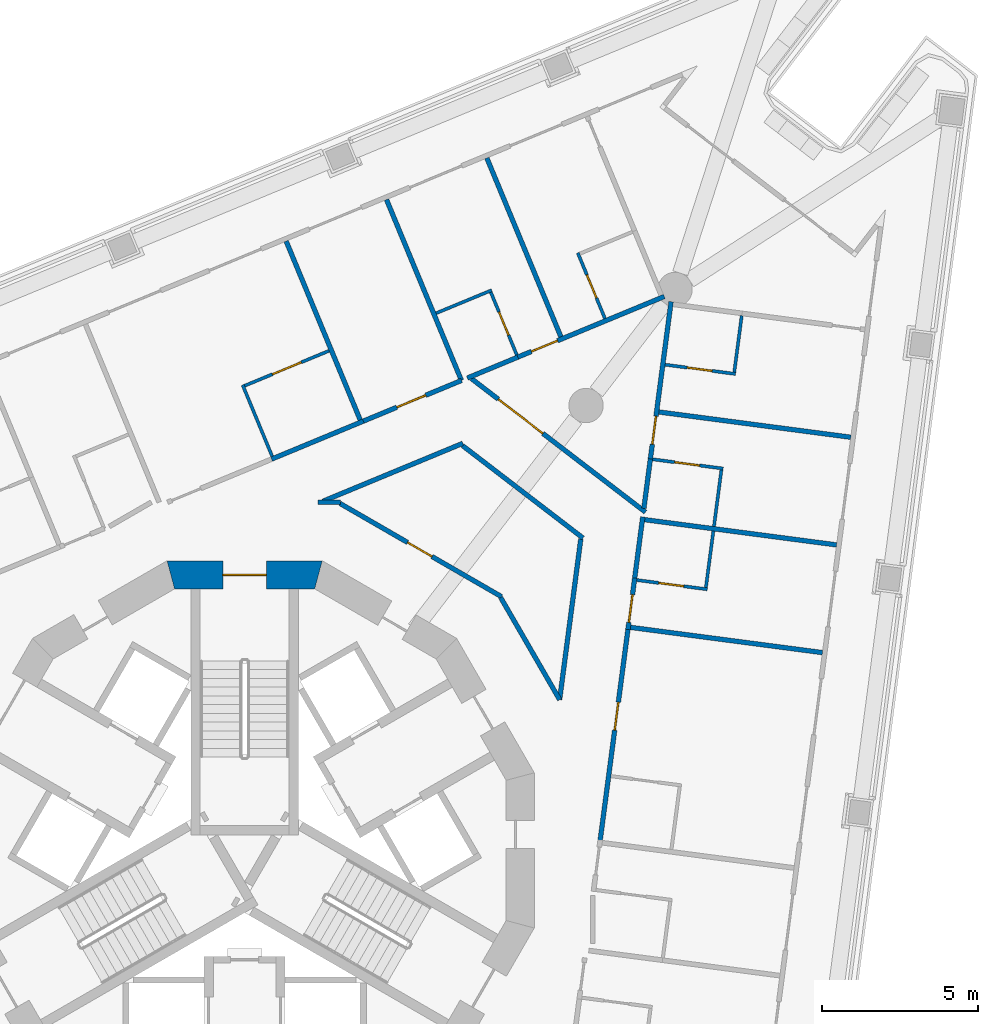
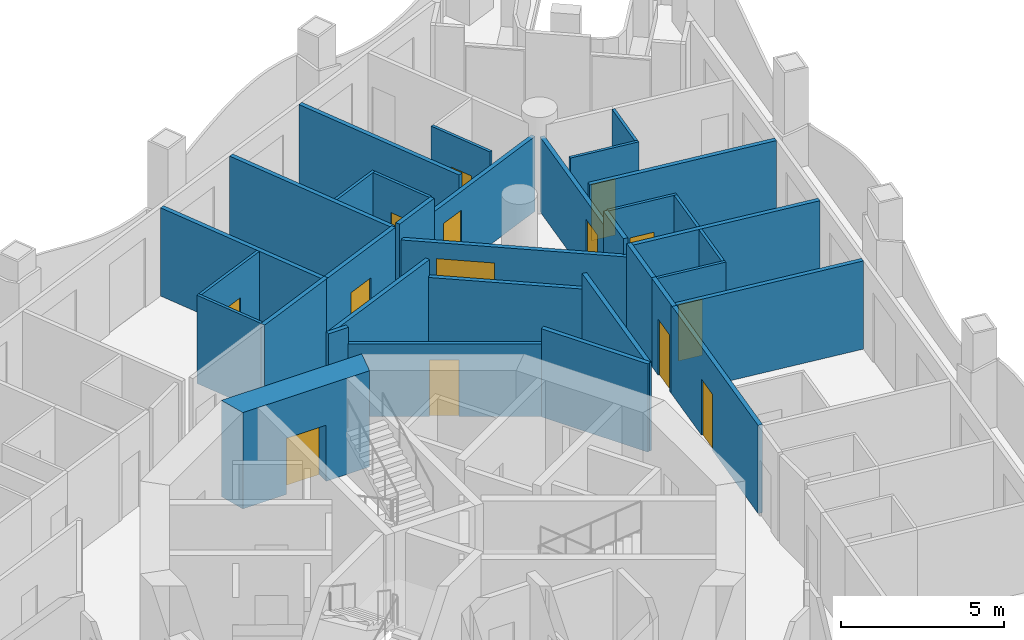
# One storey, part 9 of 17: 34 walls, 14 doors, 14 openings.
"""IFC4 building model written with IfcOpenShell, lengths in metres."""

from ifc_helpers import new_model, si_unit, direction, frame, frame_2d, origin, place, context, subcontext, project, spatial, polyline, rectangle, outline, extrude, material, layer, layer_set, type_object, element, fill, save


model = new_model("IFC4")

# Units and contexts
model_context = context("Model", 3, precision=1e-05, world=origin(), true_north=direction((0.0, 1.0)))
body_context = subcontext(model_context, "Body", "Model", "MODEL_VIEW")
ifc_project = project(units=[si_unit("LENGTHUNIT", "METRE"), si_unit("AREAUNIT", "SQUARE_METRE"), si_unit("VOLUMEUNIT", "CUBIC_METRE"), si_unit("PLANEANGLEUNIT", "RADIAN"), si_unit("MASSUNIT", "GRAM", prefix="KILO")], contexts=[model_context])

# Site, building, storey
site_placement = place(None, origin())
site = spatial("IfcSite", under=ifc_project, at=site_placement, CompositionType="ELEMENT")
building_placement = place(site_placement, origin())
building = spatial("IfcBuilding", under=site, at=building_placement, Name="Trine Commons Tower", CompositionType="ELEMENT")
storey_placement = place(building_placement, frame((0.0, 0.0, 149.39990234375)))
storey = spatial("IfcBuildingStorey", under=building, at=storey_placement, Name="L38", CompositionType="ELEMENT", Elevation=149.39990234375)

# Wall, opening, door
ifc_material_1 = material(Name="Concrete C70/85", Category="concrete")
ifc_layer_1 = layer(ifc_material_1, 0.89990234375)
ifc_layer_set_1 = layer_set([ifc_layer_1], Name="Concrete C70/85")
wall_type_1 = type_object("IfcWallType", Name="RC shear wall 900 mm, C70/85", PredefinedType="SHEAR", material=ifc_layer_set_1)
wall_1_placement = place(storey_placement, frame((82.484619140625, 71.322998046875, 0.0), z_axis=(0.0, 0.0, 1.0), x_axis=(-1.0, 0.0, 0.0)))
wall_1 = element("IfcWall", 1, at=wall_1_placement, inside=storey, type_object=wall_type_1, Name="Core wall CWD-04 L38", PredefinedType="SHEAR", context=body_context, shape_type="SweptSolid", body=[
    extrude(outline(polyline([(0.0, -0.449951171875), (4.969482421875, -0.449951171875), (4.728271484375, 0.449951171875), (0.2412109375, 0.449951171875), (0.0, -0.449951171875)])), origin(), (0.0, 0.0, 1.0), 3.60009765625),
])
opening_1_placement = place(wall_1_placement, frame((1.78466796875, 0.0, 0.0)))
opening_1 = element("IfcOpeningElement", 2, at=opening_1_placement, cuts=wall_1, Name="Opening K09.01", PredefinedType="OPENING", context=body_context, shape_type="SweptSolid", body=[
    extrude(rectangle(XDim=1.39990234375, YDim=2.10009765625, at=frame_2d((0.699951171875, 1.050048828125))), frame((0.0, 0.4599609375, 0.0), z_axis=(0.0, -1.0, 0.0), x_axis=(1.0, 0.0, 0.0)), (0.0, 0.0, 1.0), 0.919921875),
])
ifc_material_2 = material(Name="Steel door leaves, fire-rated", Category="steel")
door_type_1 = type_object("IfcDoorType", Name="Stair door, double leaf 1400 x 2100, FD90", OperationType="DOUBLE_DOOR_SINGLE_SWING", PredefinedType="DOOR", material=ifc_material_2)
door_1_placement = place(opening_1_placement, origin())
door_1 = element("IfcDoor", 3, at=door_1_placement, inside=storey, type_object=door_type_1, Name="Stair door to Exit stair ST1B L38", OperationType="DOUBLE_DOOR_SINGLE_SWING", OverallHeight=2.10009765625, OverallWidth=1.39990234375, PredefinedType="DOOR", context=body_context, shape_type="SweptSolid", body=[
    extrude(rectangle(XDim=1.39990234375, YDim=2.10009765625, at=frame_2d((0.699951171875, 1.050048828125))), frame((0.0, 0.02490234375, 0.0), z_axis=(0.0, -1.0, 0.0), x_axis=(1.0, 0.0, 0.0)), (0.0, 0.0, 1.0), 0.050048828125),
])
fill(opening_1, door_1)

# Walls
ifc_material_3 = material(Name="Gypsum plasterboard on steel stud", Category="steel")
ifc_layer_2 = layer(ifc_material_3, 0.14990234375)
ifc_layer_set_2 = layer_set([ifc_layer_2], Name="Gypsum plasterboard on steel stud")
wall_type_2 = type_object("IfcWallType", Name="Unit and corridor wall 150 mm, EI 60", PredefinedType="PARTITIONING", material=ifc_layer_set_2)
wall_2_placement = place(storey_placement, frame((80.86181640625, 75.02685546875, 0.0), z_axis=(0.0, 0.0, 1.0), x_axis=(0.923792409305, 0.382893698709, 0.0)))
element("IfcWall", 4, at=wall_2_placement, inside=storey, type_object=wall_type_2, Name="Partition 075", PredefinedType="PARTITIONING", context=body_context, shape_type="SweptSolid", body=[
    extrude(rectangle(XDim=3.18310546875, YDim=0.14990234375, at=frame_2d((1.591552734375, 0.0))), origin(), (0.0, 0.0, 1.0), 3.300048828125),
])
wall_3_placement = place(storey_placement, frame((81.329345703125, 82.007080078125, 0.0), z_axis=(0.0, 0.0, 1.0), x_axis=(0.382731197273, -0.923859746192, 0.0)))
element("IfcWall", 5, at=wall_3_placement, inside=storey, type_object=wall_type_2, Name="Partition 076", PredefinedType="PARTITIONING", context=body_context, shape_type="SweptSolid", body=[
    extrude(rectangle(XDim=6.194580078125, YDim=0.14990234375, at=frame_2d((3.09716796875, 0.0))), origin(), (0.0, 0.0, 1.0), 3.300048828125),
])
wall_4_placement = place(storey_placement, frame((82.35205078125, 73.64794921875, 0.0), z_axis=(0.0, 0.0, 1.0), x_axis=(1.0, 0.0, 0.0)))
element("IfcWall", 6, at=wall_4_placement, inside=storey, type_object=wall_type_2, Name="Partition 080", PredefinedType="PARTITIONING", context=body_context, shape_type="SweptSolid", body=[
    extrude(rectangle(XDim=0.7099609375, YDim=0.14990234375, at=frame_2d((0.35498046875, 0.0))), origin(), (0.0, 0.0, 1.0), 3.300048828125),
])
wall_5_placement = place(storey_placement, frame((82.500244140625, 73.6767578125, 0.0), z_axis=(0.0, 0.0, 1.0), x_axis=(0.923900404771, 0.382633038384, 0.0)))
element("IfcWall", 7, at=wall_5_placement, inside=storey, type_object=wall_type_2, Name="Partition 081", PredefinedType="PARTITIONING", context=body_context, shape_type="SweptSolid", body=[
    extrude(rectangle(XDim=4.855712890625, YDim=0.14990234375, at=frame_2d((2.427734375, 0.0))), origin(), (0.0, 0.0, 1.0), 3.300048828125),
])

# Wall, opening, door
wall_6_placement = place(storey_placement, frame((83.052001953125, 73.610595703125, 0.0), z_axis=(0.0, 0.0, 1.0), x_axis=(0.866039280689, -0.499975963725, 0.0)))
wall_6 = element("IfcWall", 8, at=wall_6_placement, inside=storey, type_object=wall_type_2, Name="Partition 084", PredefinedType="PARTITIONING", context=body_context, shape_type="SweptSolid", body=[
    extrude(rectangle(XDim=5.974365234375, YDim=0.14990234375, at=frame_2d((2.9873046875, 0.0))), origin(), (0.0, 0.0, 1.0), 2.7001953125),
])
opening_2_placement = place(wall_6_placement, frame((2.499755859375, 0.0, 0.0)))
opening_2 = element("IfcOpeningElement", 9, at=opening_2_placement, cuts=wall_6, Name="Opening D-4C34", PredefinedType="OPENING", context=body_context, shape_type="SweptSolid", body=[
    extrude(rectangle(XDim=0.89990234375, YDim=2.10009765625, at=frame_2d((0.449951171875, 1.050048828125))), frame((0.0, 0.0849609375, 0.0), z_axis=(0.0, -1.0, 0.0), x_axis=(1.0, 0.0, 0.0)), (0.0, 0.0, 1.0), 0.169921875),
])
ifc_material_4 = material(Name="Timber fire door set", Category="wood")
door_type_2 = type_object("IfcDoorType", Name="Service door 900 x 2100, FD30S", OperationType="NOTDEFINED", PredefinedType="DOOR", material=ifc_material_4)
door_2_placement = place(opening_2_placement, origin())
door_2 = element("IfcDoor", 10, at=door_2_placement, inside=storey, type_object=door_type_2, Name="Door D-4C34", OperationType="SINGLE_SWING_LEFT", OverallHeight=2.10009765625, OverallWidth=0.89990234375, PredefinedType="DOOR", context=body_context, shape_type="SweptSolid", body=[
    extrude(rectangle(XDim=0.89990234375, YDim=2.10009765625, at=frame_2d((0.449951171875, 1.050048828125))), frame((0.0, 0.02490234375, 0.0), z_axis=(0.0, -1.0, 0.0), x_axis=(1.0, 0.0, 0.0)), (0.0, 0.0, 1.0), 0.050048828125),
])
fill(opening_2, door_2)

wall_7_placement = place(storey_placement, frame((83.72509765625, 76.212890625, 0.0), z_axis=(0.0, 0.0, 1.0), x_axis=(0.923773530594, 0.382939243449, 0.0)))
wall_7 = element("IfcWall", 11, at=wall_7_placement, inside=storey, type_object=wall_type_2, Name="Partition 087", PredefinedType="PARTITIONING", context=body_context, shape_type="SweptSolid", body=[
    extrude(rectangle(XDim=3.48681640625, YDim=0.14990234375, at=frame_2d((1.743408203125, 0.0))), origin(), (0.0, 0.0, 1.0), 3.300048828125),
])
opening_3_placement = place(wall_7_placement, frame((1.243408203125, 0.0, 0.0)))
opening_3 = element("IfcOpeningElement", 12, at=opening_3_placement, cuts=wall_7, Name="Opening D-4C11", PredefinedType="OPENING", context=body_context, shape_type="SweptSolid", body=[
    extrude(rectangle(XDim=1.0, YDim=2.10009765625, at=frame_2d((0.5, 1.050048828125))), frame((0.0, 0.0849609375, 0.0), z_axis=(0.0, -1.0, 0.0), x_axis=(1.0, 0.0, 0.0)), (0.0, 0.0, 1.0), 0.169921875),
])
ifc_material_5 = material(Name="Painted timber", Category="wood")
door_type_3 = type_object("IfcDoorType", Name="Amenity room door 1000 x 2100, NOT RATED", OperationType="NOTDEFINED", PredefinedType="DOOR", material=ifc_material_5)
door_3_placement = place(opening_3_placement, origin())
door_3 = element("IfcDoor", 13, at=door_3_placement, inside=storey, type_object=door_type_3, Name="Door D-4C11", OperationType="SINGLE_SWING_LEFT", OverallHeight=2.10009765625, OverallWidth=1.0, PredefinedType="DOOR", context=body_context, shape_type="SweptSolid", body=[
    extrude(rectangle(XDim=1.0, YDim=2.10009765625, at=frame_2d((0.5, 1.050048828125))), frame((0.0, 0.02490234375, 0.0), z_axis=(0.0, -1.0, 0.0), x_axis=(1.0, 0.0, 0.0)), (0.0, 0.0, 1.0), 0.050048828125),
])
fill(opening_3, door_3)

# Walls
wall_8_placement = place(storey_placement, frame((84.542236328125, 83.337890625, 0.0), z_axis=(0.0, 0.0, 1.0), x_axis=(0.382756471404, -0.923849275368, 0.0)))
element("IfcWall", 14, at=wall_8_placement, inside=storey, type_object=wall_type_2, Name="Partition 091", PredefinedType="PARTITIONING", context=body_context, shape_type="SweptSolid", body=[
    extrude(rectangle(XDim=6.26953125, YDim=0.14990234375, at=frame_2d((3.134765625, 0.0))), origin(), (0.0, 0.0, 1.0), 3.300048828125),
])
wall_9_placement = place(storey_placement, frame((86.9765625, 75.46044921875, 0.0), z_axis=(0.0, 0.0, 1.0), x_axis=(0.79343006196, -0.608661430335, 0.0)))
element("IfcWall", 15, at=wall_9_placement, inside=storey, type_object=wall_type_2, Name="Partition 095", PredefinedType="PARTITIONING", context=body_context, shape_type="SweptSolid", body=[
    extrude(rectangle(XDim=4.85986328125, YDim=0.14990234375, at=frame_2d((2.429931640625, 0.0))), origin(), (0.0, 0.0, 1.0), 2.7001953125),
])
wall_10_placement = place(storey_placement, frame((87.130615234375, 77.624267578125, 0.0), z_axis=(0.0, 0.0, 1.0), x_axis=(0.923855258764, 0.382742029118, 0.0)))
element("IfcWall", 16, at=wall_10_placement, inside=storey, type_object=wall_type_2, Name="Partition 096", PredefinedType="PARTITIONING", context=body_context, shape_type="SweptSolid", body=[
    extrude(rectangle(XDim=1.749755859375, YDim=0.14990234375, at=frame_2d((0.875, 0.0))), origin(), (0.0, 0.0, 1.0), 3.300048828125),
])

# Wall, opening, door
wall_11_placement = place(storey_placement, frame((87.259521484375, 77.607421875, 0.0), z_axis=(0.0, 0.0, 1.0), x_axis=(0.79336631803, -0.608744515718, 0.0)))
wall_11 = element("IfcWall", 17, at=wall_11_placement, inside=storey, type_object=wall_type_2, Name="Partition 097", PredefinedType="PARTITIONING", context=body_context, shape_type="SweptSolid", body=[
    extrude(rectangle(XDim=7.0244140625, YDim=0.14990234375, at=frame_2d((3.51220703125, 0.0))), origin(), (0.0, 0.0, 1.0), 2.7001953125),
])
opening_4_placement = place(wall_11_placement, frame((1.086181640625, 0.0, 0.0)))
opening_4 = element("IfcOpeningElement", 18, at=opening_4_placement, cuts=wall_11, Name="Opening D-4C01", PredefinedType="OPENING", context=body_context, shape_type="SweptSolid", body=[
    extrude(rectangle(XDim=1.800048828125, YDim=2.10009765625, at=frame_2d((0.89990234375, 1.050048828125))), frame((0.0, 0.0849609375, 0.0), z_axis=(0.0, -1.0, 0.0), x_axis=(1.0, 0.0, 0.0)), (0.0, 0.0, 1.0), 0.169921875),
])
door_type_4 = type_object("IfcDoorType", Name="Cluster entrance door 1800 x 2100, double leaf, FD30S", OperationType="DOUBLE_DOOR_DOUBLE_SWING", PredefinedType="DOOR", material=ifc_material_4)
door_4_placement = place(opening_4_placement, origin())
door_4 = element("IfcDoor", 19, at=door_4_placement, inside=storey, type_object=door_type_4, Name="Door D-4C01", OperationType="DOUBLE_DOOR_DOUBLE_SWING", OverallHeight=2.10009765625, OverallWidth=1.800048828125, PredefinedType="DOOR", context=body_context, shape_type="SweptSolid", body=[
    extrude(rectangle(XDim=1.800048828125, YDim=2.10009765625, at=frame_2d((0.89990234375, 1.050048828125))), frame((0.0, 0.02490234375, 0.0), z_axis=(0.0, -1.0, 0.0), x_axis=(1.0, 0.0, 0.0)), (0.0, 0.0, 1.0), 0.050048828125),
])
fill(opening_4, door_4)

# Walls
wall_12_placement = place(storey_placement, frame((87.75537109375, 84.66796875, 0.0), z_axis=(0.0, 0.0, 1.0), x_axis=(0.382666303598, -0.923886627293, 0.0)))
element("IfcWall", 20, at=wall_12_placement, inside=storey, type_object=wall_type_2, Name="Partition 100", PredefinedType="PARTITIONING", context=body_context, shape_type="SweptSolid", body=[
    extrude(rectangle(XDim=6.193115234375, YDim=0.14990234375, at=frame_2d((3.0966796875, 0.0))), origin(), (0.0, 0.0, 1.0), 3.300048828125),
])
wall_13_placement = place(storey_placement, frame((88.198486328125, 70.595947265625, 0.0), z_axis=(0.0, 0.0, 1.0), x_axis=(0.499871635049, -0.86609950264, 0.0)))
element("IfcWall", 21, at=wall_13_placement, inside=storey, type_object=wall_type_2, Name="Partition 104", PredefinedType="PARTITIONING", context=body_context, shape_type="SweptSolid", body=[
    extrude(rectangle(XDim=3.77783203125, YDim=0.14990234375, at=frame_2d((1.888916015625, 0.0))), origin(), (0.0, 0.0, 1.0), 3.300048828125),
])

# Wall, opening, door
wall_14_placement = place(storey_placement, frame((88.69287109375, 78.27197265625, 0.0), z_axis=(0.0, 0.0, 1.0), x_axis=(0.92395946552, 0.382490399978, 0.0)))
wall_14 = element("IfcWall", 22, at=wall_14_placement, inside=storey, type_object=wall_type_2, Name="Partition 108", PredefinedType="PARTITIONING", context=body_context, shape_type="SweptSolid", body=[
    extrude(rectangle(XDim=5.1337890625, YDim=0.14990234375, at=frame_2d((2.56689453125, 0.0))), origin(), (0.0, 0.0, 1.0), 2.800048828125),
])
opening_5_placement = place(wall_14_placement, frame((0.531494140625, 0.0, 0.0)))
opening_5 = element("IfcOpeningElement", 23, at=opening_5_placement, cuts=wall_14, Name="Opening D-4C12", PredefinedType="OPENING", context=body_context, shape_type="SweptSolid", body=[
    extrude(rectangle(XDim=0.89990234375, YDim=2.10009765625, at=frame_2d((0.449951171875, 1.050048828125))), frame((0.0, 0.0849609375, 0.0), z_axis=(0.0, -1.0, 0.0), x_axis=(1.0, 0.0, 0.0)), (0.0, 0.0, 1.0), 0.169921875),
])
door_type_5 = type_object("IfcDoorType", Name="Bedroom door 900 x 2100, FD30S", OperationType="NOTDEFINED", PredefinedType="DOOR", material=ifc_material_4)
door_5_placement = place(opening_5_placement, origin())
door_5 = element("IfcDoor", 24, at=door_5_placement, inside=storey, type_object=door_type_5, Name="Door D-4C12", OperationType="SINGLE_SWING_LEFT", OverallHeight=2.10009765625, OverallWidth=0.89990234375, PredefinedType="DOOR", context=body_context, shape_type="SweptSolid", body=[
    extrude(rectangle(XDim=0.89990234375, YDim=2.10009765625, at=frame_2d((0.449951171875, 1.050048828125))), frame((0.0, 0.02490234375, 0.0), z_axis=(0.0, -1.0, 0.0), x_axis=(1.0, 0.0, 0.0)), (0.0, 0.0, 1.0), 0.050048828125),
])
fill(opening_5, door_5)

# Wall
wall_15_placement = place(storey_placement, frame((90.0849609375, 67.326904296875, 0.0), z_axis=(0.0, 0.0, 1.0), x_axis=(0.130647942506, 0.991428825039, 0.0)))
element("IfcWall", 25, at=wall_15_placement, inside=storey, type_object=wall_type_2, Name="Partition 115", PredefinedType="PARTITIONING", context=body_context, shape_type="SweptSolid", body=[
    extrude(rectangle(XDim=5.191162109375, YDim=0.14990234375, at=frame_2d((2.595703125, 0.0))), origin(), (0.0, 0.0, 1.0), 3.300048828125),
])

# Wall, opening, door
wall_16_placement = place(storey_placement, frame((91.3740234375, 62.751953125, 0.0), z_axis=(0.0, 0.0, 1.0), x_axis=(0.130544309052, 0.991442476079, 0.0)))
wall_16 = element("IfcWall", 26, at=wall_16_placement, inside=storey, type_object=wall_type_2, Name="Partition 127", PredefinedType="PARTITIONING", context=body_context, shape_type="SweptSolid", body=[
    extrude(rectangle(XDim=6.962646484375, YDim=0.14990234375, at=frame_2d((3.4814453125, 0.0))), origin(), (0.0, 0.0, 1.0), 3.300048828125),
])
opening_6_placement = place(wall_16_placement, frame((3.6318359375, 0.0, 0.0)))
opening_6 = element("IfcOpeningElement", 27, at=opening_6_placement, cuts=wall_16, Name="Opening D-4C17", PredefinedType="OPENING", context=body_context, shape_type="SweptSolid", body=[
    extrude(rectangle(XDim=0.89990234375, YDim=2.10009765625, at=frame_2d((0.449951171875, 1.050048828125))), frame((0.0, 0.0849609375, 0.0), z_axis=(0.0, -1.0, 0.0), x_axis=(1.0, 0.0, 0.0)), (0.0, 0.0, 1.0), 0.169921875),
])
door_6_placement = place(opening_6_placement, frame((0.89990234375, 0.0, 0.0), z_axis=(0.0, 0.0, 1.0), x_axis=(-1.0, 0.0, 0.0)))
door_6 = element("IfcDoor", 28, at=door_6_placement, inside=storey, type_object=door_type_5, Name="Door D-4C17", OperationType="SINGLE_SWING_LEFT", OverallHeight=2.10009765625, OverallWidth=0.89990234375, PredefinedType="DOOR", context=body_context, shape_type="SweptSolid", body=[
    extrude(rectangle(XDim=0.89990234375, YDim=2.10009765625, at=frame_2d((0.449951171875, 1.050048828125))), frame((0.0, 0.02490234375, 0.0), z_axis=(0.0, -1.0, 0.0), x_axis=(1.0, 0.0, 0.0)), (0.0, 0.0, 1.0), 0.050048828125),
])
fill(opening_6, door_6)

wall_17_placement = place(storey_placement, frame((92.272216796875, 69.572509765625, 0.0), z_axis=(0.0, 0.0, 1.0), x_axis=(0.130218790516, 0.991485283096, 0.0)))
wall_17 = element("IfcWall", 29, at=wall_17_placement, inside=storey, type_object=wall_type_2, Name="Partition 131", PredefinedType="PARTITIONING", context=body_context, shape_type="SweptSolid", body=[
    extrude(rectangle(XDim=1.6611328125, YDim=0.14990234375, at=frame_2d((0.83056640625, 0.0))), origin(), (0.0, 0.0, 1.0), 3.300048828125),
])
opening_7_placement = place(wall_17_placement, frame((0.22900390625, 0.0, 0.0)))
opening_7 = element("IfcOpeningElement", 30, at=opening_7_placement, cuts=wall_17, Name="Opening D-4C16", PredefinedType="OPENING", context=body_context, shape_type="SweptSolid", body=[
    extrude(rectangle(XDim=0.89990234375, YDim=2.10009765625, at=frame_2d((0.449951171875, 1.050048828125))), frame((0.0, 0.0849609375, 0.0), z_axis=(0.0, -1.0, 0.0), x_axis=(1.0, 0.0, 0.0)), (0.0, 0.0, 1.0), 0.169921875),
])
door_7_placement = place(opening_7_placement, frame((0.89990234375, 0.0, 0.0), z_axis=(0.0, 0.0, 1.0), x_axis=(-1.0, 0.0, 0.0)))
door_7 = element("IfcDoor", 31, at=door_7_placement, inside=storey, type_object=door_type_5, Name="Door D-4C16", OperationType="SINGLE_SWING_RIGHT", OverallHeight=2.10009765625, OverallWidth=0.89990234375, PredefinedType="DOOR", context=body_context, shape_type="SweptSolid", body=[
    extrude(rectangle(XDim=0.89990234375, YDim=2.10009765625, at=frame_2d((0.449951171875, 1.050048828125))), frame((0.0, 0.02490234375, 0.0), z_axis=(0.0, -1.0, 0.0), x_axis=(1.0, 0.0, 0.0)), (0.0, 0.0, 1.0), 0.050048828125),
])
fill(opening_7, door_7)

# Walls
wall_18_placement = place(storey_placement, frame((92.357421875, 69.64111328125, 0.0), z_axis=(0.0, 0.0, 1.0), x_axis=(0.991457381012, -0.130431060858, 0.0)))
element("IfcWall", 32, at=wall_18_placement, inside=storey, type_object=wall_type_2, Name="Partition 132", PredefinedType="PARTITIONING", context=body_context, shape_type="SweptSolid", body=[
    extrude(rectangle(XDim=6.19384765625, YDim=0.14990234375, at=frame_2d((3.096923828125, 0.0))), origin(), (0.0, 0.0, 1.0), 3.300048828125),
])
wall_19_placement = place(storey_placement, frame((92.48095703125, 71.162109375, 0.0), z_axis=(0.0, 0.0, 1.0), x_axis=(0.130786921313, 0.991410500859, 0.0)))
element("IfcWall", 33, at=wall_19_placement, inside=storey, type_object=wall_type_2, Name="Partition 133", PredefinedType="PARTITIONING", context=body_context, shape_type="SweptSolid", body=[
    extrude(rectangle(XDim=2.032958984375, YDim=0.14990234375, at=frame_2d((1.0166015625, 0.0))), origin(), (0.0, 0.0, 1.0), 3.300048828125),
])
wall_20_placement = place(storey_placement, frame((92.811279296875, 73.089111328125, 0.0), z_axis=(0.0, 0.0, 1.0), x_axis=(0.991458051546, -0.130425963766, 0.0)))
element("IfcWall", 34, at=wall_20_placement, inside=storey, type_object=wall_type_2, Name="Partition 136", PredefinedType="PARTITIONING", context=body_context, shape_type="SweptSolid", body=[
    extrude(rectangle(XDim=6.194091796875, YDim=0.14990234375, at=frame_2d((3.09716796875, 0.0))), origin(), (0.0, 0.0, 1.0), 3.300048828125),
])
wall_21_placement = place(storey_placement, frame((92.78271484375, 73.451416015625, 0.0), z_axis=(0.0, 0.0, 1.0), x_axis=(0.130312245432, 0.991473004519, 0.0)))
element("IfcWall", 35, at=wall_21_placement, inside=storey, type_object=wall_type_2, Name="Partition 139", PredefinedType="PARTITIONING", context=body_context, shape_type="SweptSolid", body=[
    extrude(rectangle(XDim=1.59814453125, YDim=0.14990234375, at=frame_2d((0.799072265625, 0.0))), origin(), (0.0, 0.0, 1.0), 3.300048828125),
])

# Wall, opening, door
wall_22_placement = place(storey_placement, frame((92.9833984375, 74.978515625, 0.0), z_axis=(0.0, 0.0, 1.0), x_axis=(0.130587368937, 0.991436805386, 0.0)))
wall_22 = element("IfcWall", 36, at=wall_22_placement, inside=storey, type_object=wall_type_2, Name="Partition 140", PredefinedType="PARTITIONING", context=body_context, shape_type="SweptSolid", body=[
    extrude(rectangle(XDim=5.1337890625, YDim=0.14990234375, at=frame_2d((2.56689453125, 0.0))), origin(), (0.0, 0.0, 1.0), 2.800048828125),
])
opening_8_placement = place(wall_22_placement, frame((0.531982421875, 0.0, 0.0)))
opening_8 = element("IfcOpeningElement", 37, at=opening_8_placement, cuts=wall_22, Name="Opening D-4C15", PredefinedType="OPENING", context=body_context, shape_type="SweptSolid", body=[
    extrude(rectangle(XDim=0.89990234375, YDim=2.10009765625, at=frame_2d((0.449951171875, 1.050048828125))), frame((0.0, 0.0849609375, 0.0), z_axis=(0.0, -1.0, 0.0), x_axis=(1.0, 0.0, 0.0)), (0.0, 0.0, 1.0), 0.169921875),
])
door_8_placement = place(opening_8_placement, frame((0.89990234375, 0.0, 0.0), z_axis=(0.0, 0.0, 1.0), x_axis=(-1.0, 0.0, 0.0)))
door_8 = element("IfcDoor", 38, at=door_8_placement, inside=storey, type_object=door_type_5, Name="Door D-4C15", OperationType="SINGLE_SWING_RIGHT", OverallHeight=2.10009765625, OverallWidth=0.89990234375, PredefinedType="DOOR", context=body_context, shape_type="SweptSolid", body=[
    extrude(rectangle(XDim=0.89990234375, YDim=2.10009765625, at=frame_2d((0.449951171875, 1.050048828125))), frame((0.0, 0.02490234375, 0.0), z_axis=(0.0, -1.0, 0.0), x_axis=(1.0, 0.0, 0.0)), (0.0, 0.0, 1.0), 0.050048828125),
])
fill(opening_8, door_8)

# Walls
wall_23_placement = place(storey_placement, frame((93.264404296875, 76.537109375, 0.0), z_axis=(0.0, 0.0, 1.0), x_axis=(0.991439668145, -0.130565632649, 0.0)))
element("IfcWall", 39, at=wall_23_placement, inside=storey, type_object=wall_type_2, Name="Partition 142", PredefinedType="PARTITIONING", context=body_context, shape_type="SweptSolid", body=[
    extrude(rectangle(XDim=6.19482421875, YDim=0.14990234375, at=frame_2d((3.097412109375, 0.0))), origin(), (0.0, 0.0, 1.0), 3.300048828125),
])
ifc_layer_3 = layer(ifc_material_3, 0.10009765625)
ifc_layer_set_3 = layer_set([ifc_layer_3], Name="Gypsum plasterboard on steel stud")
wall_type_3 = type_object("IfcWallType", Name="Unit partition 100 mm, no rating", PredefinedType="PARTITIONING", material=ifc_layer_set_3)
wall_24_placement = place(storey_placement, frame((79.934814453125, 77.404296875, 0.0), z_axis=(0.0, 0.0, 1.0), x_axis=(0.382737922871, -0.923856959922, 0.0)))
element("IfcWall", 40, at=wall_24_placement, inside=storey, type_object=wall_type_3, Name="Partition 072", PredefinedType="PARTITIONING", context=body_context, shape_type="SweptSolid", body=[
    extrude(rectangle(XDim=2.4755859375, YDim=0.10009765625, at=frame_2d((1.23779296875, 0.0))), origin(), (0.0, 0.0, 1.0), 3.300048828125),
])

# Wall, opening, door
wall_25_placement = place(storey_placement, frame((80.000244140625, 77.377197265625, 0.0), z_axis=(0.0, 0.0, 1.0), x_axis=(0.923906972489, 0.382617179681, 0.0)))
wall_25 = element("IfcWall", 41, at=wall_25_placement, inside=storey, type_object=wall_type_3, Name="Partition 073", PredefinedType="PARTITIONING", context=body_context, shape_type="SweptSolid", body=[
    extrude(rectangle(XDim=2.925048828125, YDim=0.10009765625, at=frame_2d((1.46240234375, 0.0))), origin(), (0.0, 0.0, 1.0), 3.300048828125),
])
opening_9_placement = place(wall_25_placement, frame((0.962646484375, 0.0, 0.0)))
opening_9 = element("IfcOpeningElement", 42, at=opening_9_placement, cuts=wall_25, Name="Opening D-4C43", PredefinedType="OPENING", context=body_context, shape_type="SweptSolid", body=[
    extrude(rectangle(XDim=1.0, YDim=2.10009765625, at=frame_2d((0.5, 1.050048828125))), frame((0.0, 0.06005859375, 0.0), z_axis=(0.0, -1.0, 0.0), x_axis=(1.0, 0.0, 0.0)), (0.0, 0.0, 1.0), 0.1201171875),
])
door_type_6 = type_object("IfcDoorType", Name="Internal door 1000 x 2100, NOT RATED", OperationType="NOTDEFINED", PredefinedType="DOOR", material=ifc_material_5)
door_9_placement = place(opening_9_placement, origin())
door_9 = element("IfcDoor", 43, at=door_9_placement, inside=storey, type_object=door_type_6, Name="Door D-4C43", OperationType="SINGLE_SWING_RIGHT", OverallHeight=2.10009765625, OverallWidth=1.0, PredefinedType="DOOR", context=body_context, shape_type="SweptSolid", body=[
    extrude(rectangle(XDim=1.0, YDim=2.10009765625, at=frame_2d((0.5, 1.050048828125))), frame((0.0, 0.02490234375, 0.0), z_axis=(0.0, -1.0, 0.0), x_axis=(1.0, 0.0, 0.0)), (0.0, 0.0, 1.0), 0.050048828125),
])
fill(opening_9, door_9)

# Wall
wall_26_placement = place(storey_placement, frame((86.13037109375, 79.69970703125, 0.0), z_axis=(0.0, 0.0, 1.0), x_axis=(0.923967386518, 0.38247126513, 0.0)))
element("IfcWall", 44, at=wall_26_placement, inside=storey, type_object=wall_type_3, Name="Partition 094", PredefinedType="PARTITIONING", context=body_context, shape_type="SweptSolid", body=[
    extrude(rectangle(XDim=1.92529296875, YDim=0.10009765625, at=frame_2d((0.962646484375, 0.0))), origin(), (0.0, 0.0, 1.0), 3.300048828125),
])

# Wall, opening, door
wall_27_placement = place(storey_placement, frame((87.882080078125, 80.370849609375, 0.0), z_axis=(0.0, 0.0, 1.0), x_axis=(0.382645891508, -0.92389508155, 0.0)))
wall_27 = element("IfcWall", 45, at=wall_27_placement, inside=storey, type_object=wall_type_3, Name="Partition 102", PredefinedType="PARTITIONING", context=body_context, shape_type="SweptSolid", body=[
    extrude(rectangle(XDim=2.175048828125, YDim=0.10009765625, at=frame_2d((1.08740234375, 0.0))), origin(), (0.0, 0.0, 1.0), 3.300048828125),
])
opening_10_placement = place(wall_27_placement, frame((0.6875, 0.0, 0.0)))
opening_10 = element("IfcOpeningElement", 46, at=opening_10_placement, cuts=wall_27, Name="Opening D-4C44", PredefinedType="OPENING", context=body_context, shape_type="SweptSolid", body=[
    extrude(rectangle(XDim=0.800048828125, YDim=2.10009765625, at=frame_2d((0.39990234375, 1.050048828125))), frame((0.0, 0.06005859375, 0.0), z_axis=(0.0, -1.0, 0.0), x_axis=(1.0, 0.0, 0.0)), (0.0, 0.0, 1.0), 0.1201171875),
])
door_type_7 = type_object("IfcDoorType", Name="Internal door 800 x 2100, NOT RATED", OperationType="NOTDEFINED", PredefinedType="DOOR", material=ifc_material_5)
door_10_placement = place(opening_10_placement, origin())
door_10 = element("IfcDoor", 47, at=door_10_placement, inside=storey, type_object=door_type_7, Name="Door D-4C44", OperationType="SINGLE_SWING_RIGHT", OverallHeight=2.10009765625, OverallWidth=0.800048828125, PredefinedType="DOOR", context=body_context, shape_type="SweptSolid", body=[
    extrude(rectangle(XDim=0.800048828125, YDim=2.10009765625, at=frame_2d((0.39990234375, 1.050048828125))), frame((0.0, 0.02490234375, 0.0), z_axis=(0.0, -1.0, 0.0), x_axis=(1.0, 0.0, 0.0)), (0.0, 0.0, 1.0), 0.050048828125),
])
fill(opening_10, door_10)

wall_28_placement = place(storey_placement, frame((90.666015625, 81.632080078125, 0.0), z_axis=(0.0, 0.0, 1.0), x_axis=(0.382595073996, -0.923916126796, 0.0)))
wall_28 = element("IfcWall", 48, at=wall_28_placement, inside=storey, type_object=wall_type_3, Name="Partition 118", PredefinedType="PARTITIONING", context=body_context, shape_type="SweptSolid", body=[
    extrude(rectangle(XDim=2.27490234375, YDim=0.10009765625, at=frame_2d((1.137451171875, 0.0))), origin(), (0.0, 0.0, 1.0), 3.300048828125),
])
opening_11_placement = place(wall_28_placement, frame((0.7626953125, 0.0, 0.0)))
opening_11 = element("IfcOpeningElement", 49, at=opening_11_placement, cuts=wall_28, Name="Opening D-4C45", PredefinedType="OPENING", context=body_context, shape_type="SweptSolid", body=[
    extrude(rectangle(XDim=0.800048828125, YDim=2.10009765625, at=frame_2d((0.39990234375, 1.050048828125))), frame((0.0, 0.06005859375, 0.0), z_axis=(0.0, -1.0, 0.0), x_axis=(1.0, 0.0, 0.0)), (0.0, 0.0, 1.0), 0.1201171875),
])
door_11_placement = place(opening_11_placement, frame((0.800048828125, 0.0, 0.0), z_axis=(0.0, 0.0, 1.0), x_axis=(-1.0, 0.0, 0.0)))
door_11 = element("IfcDoor", 50, at=door_11_placement, inside=storey, type_object=door_type_7, Name="Door D-4C45", OperationType="SINGLE_SWING_LEFT", OverallHeight=2.10009765625, OverallWidth=0.800048828125, PredefinedType="DOOR", context=body_context, shape_type="SweptSolid", body=[
    extrude(rectangle(XDim=0.800048828125, YDim=2.10009765625, at=frame_2d((0.39990234375, 1.050048828125))), frame((0.0, 0.02490234375, 0.0), z_axis=(0.0, -1.0, 0.0), x_axis=(1.0, 0.0, 0.0)), (0.0, 0.0, 1.0), 0.050048828125),
])
fill(opening_11, door_11)

wall_29_placement = place(storey_placement, frame((92.556396484375, 71.15625, 0.0), z_axis=(0.0, 0.0, 1.0), x_axis=(0.991459774706, -0.130412864162, 0.0)))
wall_29 = element("IfcWall", 51, at=wall_29_placement, inside=storey, type_object=wall_type_3, Name="Partition 134", PredefinedType="PARTITIONING", context=body_context, shape_type="SweptSolid", body=[
    extrude(rectangle(XDim=2.274658203125, YDim=0.10009765625, at=frame_2d((1.13720703125, 0.0))), origin(), (0.0, 0.0, 1.0), 3.300048828125),
])
opening_12_placement = place(wall_29_placement, frame((0.71240234375, 0.0, 0.0)))
opening_12 = element("IfcOpeningElement", 52, at=opening_12_placement, cuts=wall_29, Name="Opening D-4C48", PredefinedType="OPENING", context=body_context, shape_type="SweptSolid", body=[
    extrude(rectangle(XDim=0.800048828125, YDim=2.10009765625, at=frame_2d((0.39990234375, 1.050048828125))), frame((0.0, 0.06005859375, 0.0), z_axis=(0.0, -1.0, 0.0), x_axis=(1.0, 0.0, 0.0)), (0.0, 0.0, 1.0), 0.1201171875),
])
door_12_placement = place(opening_12_placement, frame((0.800048828125, 0.0, 0.0), z_axis=(0.0, 0.0, 1.0), x_axis=(-1.0, 0.0, 0.0)))
door_12 = element("IfcDoor", 53, at=door_12_placement, inside=storey, type_object=door_type_7, Name="Door D-4C48", OperationType="SINGLE_SWING_RIGHT", OverallHeight=2.10009765625, OverallWidth=0.800048828125, PredefinedType="DOOR", context=body_context, shape_type="SweptSolid", body=[
    extrude(rectangle(XDim=0.800048828125, YDim=2.10009765625, at=frame_2d((0.39990234375, 1.050048828125))), frame((0.0, 0.02490234375, 0.0), z_axis=(0.0, -1.0, 0.0), x_axis=(1.0, 0.0, 0.0)), (0.0, 0.0, 1.0), 0.050048828125),
])
fill(opening_12, door_12)

wall_30_placement = place(storey_placement, frame((93.0654296875, 75.022216796875, 0.0), z_axis=(0.0, 0.0, 1.0), x_axis=(0.991459774706, -0.130412864162, 0.0)))
wall_30 = element("IfcWall", 54, at=wall_30_placement, inside=storey, type_object=wall_type_3, Name="Partition 141", PredefinedType="PARTITIONING", context=body_context, shape_type="SweptSolid", body=[
    extrude(rectangle(XDim=2.274658203125, YDim=0.10009765625, at=frame_2d((1.13720703125, 0.0))), origin(), (0.0, 0.0, 1.0), 3.300048828125),
])
opening_13_placement = place(wall_30_placement, frame((0.71240234375, 0.0, 0.0)))
opening_13 = element("IfcOpeningElement", 55, at=opening_13_placement, cuts=wall_30, Name="Opening D-4C47", PredefinedType="OPENING", context=body_context, shape_type="SweptSolid", body=[
    extrude(rectangle(XDim=0.800048828125, YDim=2.10009765625, at=frame_2d((0.39990234375, 1.050048828125))), frame((0.0, 0.06005859375, 0.0), z_axis=(0.0, -1.0, 0.0), x_axis=(1.0, 0.0, 0.0)), (0.0, 0.0, 1.0), 0.1201171875),
])
door_13_placement = place(opening_13_placement, origin())
door_13 = element("IfcDoor", 56, at=door_13_placement, inside=storey, type_object=door_type_7, Name="Door D-4C47", OperationType="SINGLE_SWING_LEFT", OverallHeight=2.10009765625, OverallWidth=0.800048828125, PredefinedType="DOOR", context=body_context, shape_type="SweptSolid", body=[
    extrude(rectangle(XDim=0.800048828125, YDim=2.10009765625, at=frame_2d((0.39990234375, 1.050048828125))), frame((0.0, 0.02490234375, 0.0), z_axis=(0.0, -1.0, 0.0), x_axis=(1.0, 0.0, 0.0)), (0.0, 0.0, 1.0), 0.050048828125),
])
fill(opening_13, door_13)

wall_31_placement = place(storey_placement, frame((93.46435546875, 78.05126953125, 0.0), z_axis=(0.0, 0.0, 1.0), x_axis=(0.991445890878, -0.130518372124, 0.0)))
wall_31 = element("IfcWall", 57, at=wall_31_placement, inside=storey, type_object=wall_type_3, Name="Partition 145", PredefinedType="PARTITIONING", context=body_context, shape_type="SweptSolid", body=[
    extrude(rectangle(XDim=2.274658203125, YDim=0.10009765625, at=frame_2d((1.13720703125, 0.0))), origin(), (0.0, 0.0, 1.0), 3.300048828125),
])
opening_14_placement = place(wall_31_placement, frame((0.71240234375, 0.0, 0.0)))
opening_14 = element("IfcOpeningElement", 58, at=opening_14_placement, cuts=wall_31, Name="Opening D-4C46", PredefinedType="OPENING", context=body_context, shape_type="SweptSolid", body=[
    extrude(rectangle(XDim=0.800048828125, YDim=2.10009765625, at=frame_2d((0.39990234375, 1.050048828125))), frame((0.0, 0.06005859375, 0.0), z_axis=(0.0, -1.0, 0.0), x_axis=(1.0, 0.0, 0.0)), (0.0, 0.0, 1.0), 0.1201171875),
])
door_14_placement = place(opening_14_placement, frame((0.800048828125, 0.0, 0.0), z_axis=(0.0, 0.0, 1.0), x_axis=(-1.0, 0.0, 0.0)))
door_14 = element("IfcDoor", 59, at=door_14_placement, inside=storey, type_object=door_type_7, Name="Door D-4C46", OperationType="SINGLE_SWING_RIGHT", OverallHeight=2.10009765625, OverallWidth=0.800048828125, PredefinedType="DOOR", context=body_context, shape_type="SweptSolid", body=[
    extrude(rectangle(XDim=0.800048828125, YDim=2.10009765625, at=frame_2d((0.39990234375, 1.050048828125))), frame((0.0, 0.02490234375, 0.0), z_axis=(0.0, -1.0, 0.0), x_axis=(1.0, 0.0, 0.0)), (0.0, 0.0, 1.0), 0.050048828125),
])
fill(opening_14, door_14)

# Walls
for number, where, z_axis, x_axis, name in (
    (60, (94.7685546875, 70.91552734375, 0.0), (0.0, 0.0, 1.0), (0.130717543687, 0.991419650689, 0.0), "Partition 148"),
    (61, (95.02685546875, 72.873291015625, 0.0), (0.0, 0.0, 1.0), (0.130191453907, 0.991488873024, 0.0), "Partition 149"),
    (62, (95.676513671875, 77.810546875, 0.0), (0.0, 0.0, 1.0), (0.130849048899, 0.991402303004, 0.0), "Partition 150"),
):
    element("IfcWall", number, at=place(storey_placement, frame(where, z_axis=z_axis, x_axis=x_axis)), inside=storey, type_object=wall_type_3, Name=name, PredefinedType="PARTITIONING", context=body_context, shape_type="SweptSolid", body=[
        extrude(rectangle(XDim=1.82470703125, YDim=0.10009765625, at=frame_2d((0.912353515625, 0.0))), origin(), (0.0, 0.0, 1.0), 3.300048828125),
    ])

save(model, "model.ifc")
